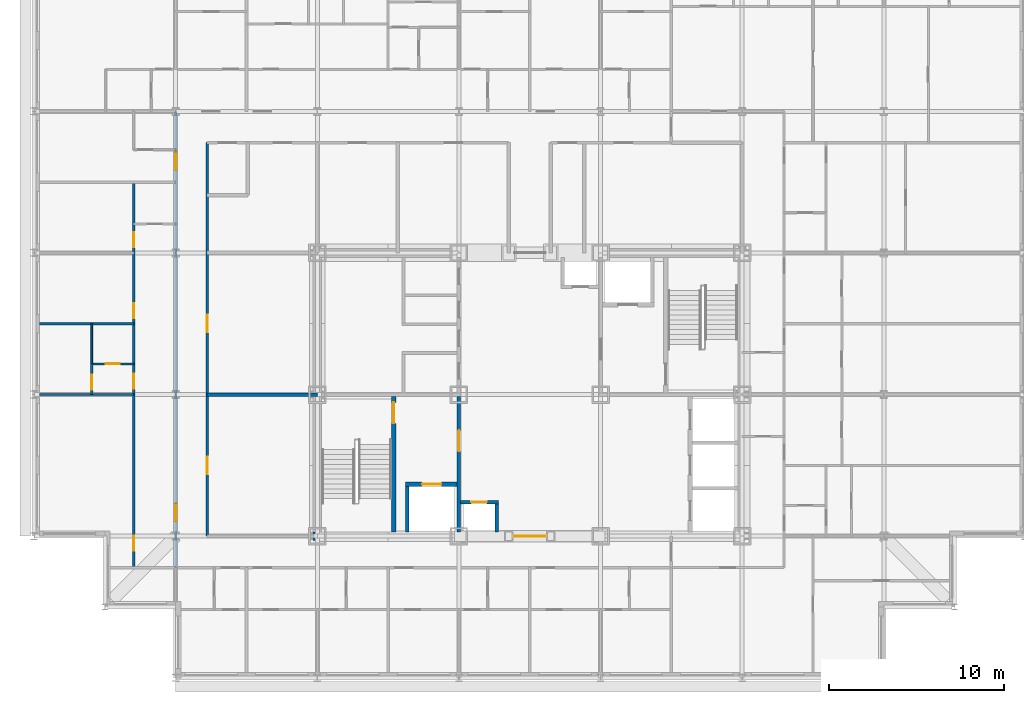
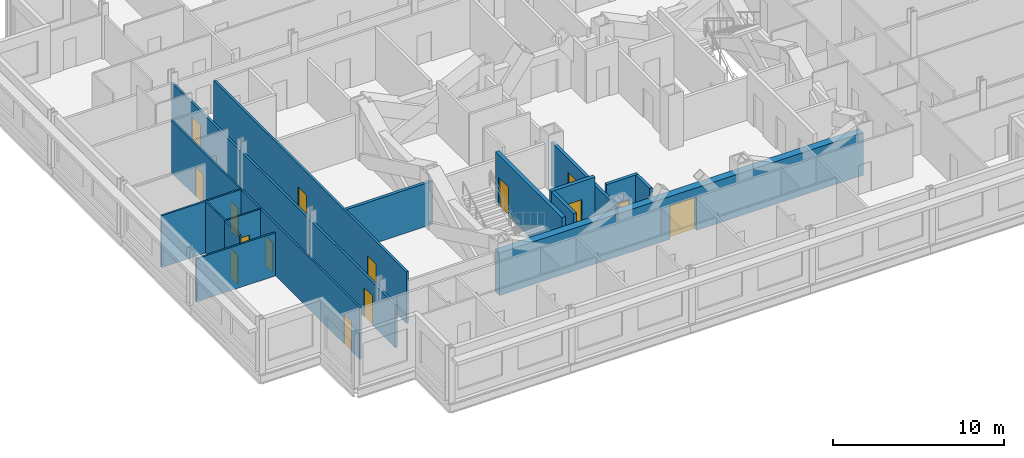
# One storey, part 8 of 16: 16 walls, 15 doors, 15 openings.
"""IFC4 building model written with IfcOpenShell, lengths in metres."""

from ifc_helpers import new_model, si_unit, direction, frame, frame_2d, origin, place, context, subcontext, project, spatial, rectangle, extrude, material, layer, layer_set, type_object, element, fill, save


model = new_model("IFC4")

# Units and contexts
model_context = context("Model", 3, precision=1e-05, world=origin(), true_north=direction((0.0, 1.0)))
body_context = subcontext(model_context, "Body", "Model", "MODEL_VIEW")
ifc_project = project(units=[si_unit("LENGTHUNIT", "METRE"), si_unit("AREAUNIT", "SQUARE_METRE"), si_unit("VOLUMEUNIT", "CUBIC_METRE"), si_unit("PLANEANGLEUNIT", "RADIAN"), si_unit("MASSUNIT", "GRAM", prefix="KILO")], contexts=[model_context])

# Site, building, storey
site_placement = place(None, origin())
site = spatial("IfcSite", under=ifc_project, at=site_placement, CompositionType="ELEMENT")
building_placement = place(site_placement, origin())
building = spatial("IfcBuilding", under=site, at=building_placement, Name="Kopane Lantern Tower", CompositionType="ELEMENT")
storey_placement = place(building_placement, frame((0.0, 0.0, 265.800048828125)))
storey = spatial("IfcBuildingStorey", under=building, at=storey_placement, Name="L68", CompositionType="ELEMENT", Elevation=265.800048828125)

# Wall, openings, doors
ifc_material_1 = material(Name="Gypsum board on steel studs", Category="steel")
ifc_layer_1 = layer(ifc_material_1, 0.1201171875)
ifc_layer_set_1 = layer_set([ifc_layer_1], Name="APARTMENT INTERNAL WALL 120")
wall_type_1 = type_object("IfcWallType", Name="APARTMENT INTERNAL WALL 120", PredefinedType="PARTITIONING", material=ifc_layer_set_1)
wall_1_placement = place(storey_placement, frame((5.699951171875, 22.5, 0.0), z_axis=(0.0, 0.0, 1.0), x_axis=(0.0, 1.0, 0.0)))
wall_1 = element("IfcWall", 1, at=wall_1_placement, inside=storey, type_object=wall_type_1, Name="Apartment Internal Wall 120 L68", PredefinedType="PARTITIONING", context=body_context, shape_type="SweptSolid", body=[
    extrude(rectangle(XDim=22.050048828125, YDim=0.1201171875, at=frame_2d((11.02490234375, 0.0))), origin(), (0.0, 0.0, 1.0), 3.68994140625),
])
opening_1_placement = place(wall_1_placement, frame((0.97509765625, 0.0, 0.0)))
opening_1 = element("IfcOpeningElement", 2, at=opening_1_placement, cuts=wall_1, Name="Opening L68-033", PredefinedType="OPENING", context=body_context, shape_type="SweptSolid", body=[
    extrude(rectangle(XDim=0.85009765625, YDim=2.10009765625, at=frame_2d((0.425048828125, 1.050048828125))), frame((0.0, 0.070068359375, 0.0), z_axis=(0.0, -1.0, 0.0), x_axis=(1.0, 0.0, 0.0)), (0.0, 0.0, 1.0), 0.14013671875),
])
opening_2_placement = place(wall_1_placement, frame((10.22509765625, 0.0, 0.0)))
opening_2 = element("IfcOpeningElement", 3, at=opening_2_placement, cuts=wall_1, Name="Opening L68-035", PredefinedType="OPENING", context=body_context, shape_type="SweptSolid", body=[
    extrude(rectangle(XDim=0.85009765625, YDim=2.10009765625, at=frame_2d((0.425048828125, 1.050048828125))), frame((0.0, 0.070068359375, 0.0), z_axis=(0.0, -1.0, 0.0), x_axis=(1.0, 0.0, 0.0)), (0.0, 0.0, 1.0), 0.14013671875),
])
opening_3_placement = place(wall_1_placement, frame((14.27490234375, 0.0, 0.0)))
opening_3 = element("IfcOpeningElement", 4, at=opening_3_placement, cuts=wall_1, Name="Opening L68-036", PredefinedType="OPENING", context=body_context, shape_type="SweptSolid", body=[
    extrude(rectangle(XDim=0.85009765625, YDim=2.10009765625, at=frame_2d((0.425048828125, 1.050048828125))), frame((0.0, 0.070068359375, 0.0), z_axis=(0.0, -1.0, 0.0), x_axis=(1.0, 0.0, 0.0)), (0.0, 0.0, 1.0), 0.14013671875),
])
opening_4_placement = place(wall_1_placement, frame((18.324951171875, 0.0, 0.0)))
opening_4 = element("IfcOpeningElement", 5, at=opening_4_placement, cuts=wall_1, Name="Opening L68-037", PredefinedType="OPENING", context=body_context, shape_type="SweptSolid", body=[
    extrude(rectangle(XDim=0.85009765625, YDim=2.10009765625, at=frame_2d((0.425048828125, 1.050048828125))), frame((0.0, 0.070068359375, 0.0), z_axis=(0.0, -1.0, 0.0), x_axis=(1.0, 0.0, 0.0)), (0.0, 0.0, 1.0), 0.14013671875),
])
ifc_material_2 = material(Name="Timber door set", Category="wood")
door_type_1 = type_object("IfcDoorType", Name="DOOR D4 850x2100", OperationType="SINGLE_SWING_LEFT", PredefinedType="DOOR", material=ifc_material_2)
door_1_placement = place(opening_1_placement, origin())
door_1 = element("IfcDoor", 6, at=door_1_placement, inside=storey, type_object=door_type_1, Name="Door L68-033", OperationType="SINGLE_SWING_RIGHT", OverallHeight=2.10009765625, OverallWidth=0.85009765625, PredefinedType="DOOR", context=body_context, shape_type="SweptSolid", body=[
    extrude(rectangle(XDim=0.85009765625, YDim=2.10009765625, at=frame_2d((0.425048828125, 1.050048828125))), frame((0.0, 0.02490234375, 0.0), z_axis=(0.0, -1.0, 0.0), x_axis=(1.0, 0.0, 0.0)), (0.0, 0.0, 1.0), 0.050048828125),
])
fill(opening_1, door_1)
door_2_placement = place(opening_2_placement, origin())
door_2 = element("IfcDoor", 7, at=door_2_placement, inside=storey, type_object=door_type_1, Name="Door L68-035", OperationType="SINGLE_SWING_LEFT", OverallHeight=2.10009765625, OverallWidth=0.85009765625, PredefinedType="DOOR", context=body_context, shape_type="SweptSolid", body=[
    extrude(rectangle(XDim=0.85009765625, YDim=2.10009765625, at=frame_2d((0.425048828125, 1.050048828125))), frame((0.0, 0.02490234375, 0.0), z_axis=(0.0, -1.0, 0.0), x_axis=(1.0, 0.0, 0.0)), (0.0, 0.0, 1.0), 0.050048828125),
])
fill(opening_2, door_2)
door_3_placement = place(opening_3_placement, origin())
door_3 = element("IfcDoor", 8, at=door_3_placement, inside=storey, type_object=door_type_1, Name="Door L68-036", OperationType="SINGLE_SWING_LEFT", OverallHeight=2.10009765625, OverallWidth=0.85009765625, PredefinedType="DOOR", context=body_context, shape_type="SweptSolid", body=[
    extrude(rectangle(XDim=0.85009765625, YDim=2.10009765625, at=frame_2d((0.425048828125, 1.050048828125))), frame((0.0, 0.02490234375, 0.0), z_axis=(0.0, -1.0, 0.0), x_axis=(1.0, 0.0, 0.0)), (0.0, 0.0, 1.0), 0.050048828125),
])
fill(opening_3, door_3)
door_4_placement = place(opening_4_placement, origin())
door_4 = element("IfcDoor", 9, at=door_4_placement, inside=storey, type_object=door_type_1, Name="Door L68-037", OperationType="SINGLE_SWING_LEFT", OverallHeight=2.10009765625, OverallWidth=0.85009765625, PredefinedType="DOOR", context=body_context, shape_type="SweptSolid", body=[
    extrude(rectangle(XDim=0.85009765625, YDim=2.10009765625, at=frame_2d((0.425048828125, 1.050048828125))), frame((0.0, 0.02490234375, 0.0), z_axis=(0.0, -1.0, 0.0), x_axis=(1.0, 0.0, 0.0)), (0.0, 0.0, 1.0), 0.050048828125),
])
fill(opening_4, door_4)

# Walls
wall_2_placement = place(storey_placement, frame((5.699951171875, 32.39990234375, 0.0), z_axis=(0.0, 0.0, 1.0), x_axis=(-1.0, 0.0, 0.0)))
element("IfcWall", 10, at=wall_2_placement, inside=storey, type_object=wall_type_1, Name="Apartment Internal Wall 120 L68", PredefinedType="PARTITIONING", context=body_context, shape_type="SweptSolid", body=[
    extrude(rectangle(XDim=5.39990234375, YDim=0.1201171875, at=frame_2d((2.699951171875, 0.0))), origin(), (0.0, 0.0, 1.0), 3.07763671875),
])
wall_3_placement = place(storey_placement, frame((5.699951171875, 36.449951171875, 0.0), z_axis=(0.0, 0.0, 1.0), x_axis=(-1.0, 0.0, 0.0)))
element("IfcWall", 11, at=wall_3_placement, inside=storey, type_object=wall_type_1, Name="Apartment Internal Wall 120 L68", PredefinedType="PARTITIONING", context=body_context, shape_type="SweptSolid", body=[
    extrude(rectangle(XDim=5.39990234375, YDim=0.1201171875, at=frame_2d((2.699951171875, 0.0))), origin(), (0.0, 0.0, 1.0), 3.68994140625),
])

# Wall, opening, door
wall_4_placement = place(storey_placement, frame((3.300048828125, 32.39990234375, 0.0), z_axis=(0.0, 0.0, 1.0), x_axis=(0.0, 1.0, 0.0)))
wall_4 = element("IfcWall", 12, at=wall_4_placement, inside=storey, type_object=wall_type_1, Name="Apartment Internal Wall 120 L68", PredefinedType="PARTITIONING", context=body_context, shape_type="SweptSolid", body=[
    extrude(rectangle(XDim=1.760009765625, YDim=0.1201171875, at=frame_2d((0.8798828125, 0.0))), origin(), (0.0, 0.0, 1.0), 3.68994140625),
])
opening_5_placement = place(wall_4_placement, frame((0.27490234375, 0.0, 0.0)))
opening_5 = element("IfcOpeningElement", 13, at=opening_5_placement, cuts=wall_4, Name="Opening L68-066", PredefinedType="OPENING", context=body_context, shape_type="SweptSolid", body=[
    extrude(rectangle(XDim=0.85009765625, YDim=2.10009765625, at=frame_2d((0.425048828125, 1.050048828125))), frame((0.0, 0.070068359375, 0.0), z_axis=(0.0, -1.0, 0.0), x_axis=(1.0, 0.0, 0.0)), (0.0, 0.0, 1.0), 0.14013671875),
])
door_5_placement = place(opening_5_placement, origin())
door_5 = element("IfcDoor", 14, at=door_5_placement, inside=storey, type_object=door_type_1, Name="Door L68-066", OperationType="SINGLE_SWING_LEFT", OverallHeight=2.10009765625, OverallWidth=0.85009765625, PredefinedType="DOOR", context=body_context, shape_type="SweptSolid", body=[
    extrude(rectangle(XDim=0.85009765625, YDim=2.10009765625, at=frame_2d((0.425048828125, 1.050048828125))), frame((0.0, 0.02490234375, 0.0), z_axis=(0.0, -1.0, 0.0), x_axis=(1.0, 0.0, 0.0)), (0.0, 0.0, 1.0), 0.050048828125),
])
fill(opening_5, door_5)

ifc_material_3 = material(Name="Moisture-resistant board on steel studs", Category="steel")
ifc_layer_2 = layer(ifc_material_3, 0.10009765625)
ifc_layer_set_2 = layer_set([ifc_layer_2], Name="BATHROOM WALL 100")
wall_type_2 = type_object("IfcWallType", Name="BATHROOM WALL 100", PredefinedType="PARTITIONING", material=ifc_layer_set_2)
wall_5_placement = place(storey_placement, frame((5.699951171875, 34.14990234375, 0.0), z_axis=(0.0, 0.0, 1.0), x_axis=(-1.0, 0.0, 0.0)))
wall_5 = element("IfcWall", 15, at=wall_5_placement, inside=storey, type_object=wall_type_2, Name="Bathroom Wall 100 L68", PredefinedType="PARTITIONING", context=body_context, shape_type="SweptSolid", body=[
    extrude(rectangle(XDim=2.39990234375, YDim=0.10009765625, at=frame_2d((1.199951171875, 0.0))), origin(), (0.0, 0.0, 1.0), 3.68994140625),
])
opening_6_placement = place(wall_5_placement, frame((0.800048828125, 0.0, 0.0)))
opening_6 = element("IfcOpeningElement", 16, at=opening_6_placement, cuts=wall_5, Name="Opening L68-034", PredefinedType="OPENING", context=body_context, shape_type="SweptSolid", body=[
    extrude(rectangle(XDim=0.800048828125, YDim=2.10009765625, at=frame_2d((0.39990234375, 1.050048828125))), frame((0.0, 0.06005859375, 0.0), z_axis=(0.0, -1.0, 0.0), x_axis=(1.0, 0.0, 0.0)), (0.0, 0.0, 1.0), 0.1201171875),
])
ifc_material_4 = material(Name="Timber door set", Category="wood")
door_type_2 = type_object("IfcDoorType", Name="DOOR D2 800x2100", OperationType="SINGLE_SWING_LEFT", PredefinedType="DOOR", material=ifc_material_4)
door_6_placement = place(opening_6_placement, origin())
door_6 = element("IfcDoor", 17, at=door_6_placement, inside=storey, type_object=door_type_2, Name="Door L68-034", OperationType="SINGLE_SWING_RIGHT", OverallHeight=2.10009765625, OverallWidth=0.800048828125, PredefinedType="DOOR", context=body_context, shape_type="SweptSolid", body=[
    extrude(rectangle(XDim=0.800048828125, YDim=2.10009765625, at=frame_2d((0.39990234375, 1.050048828125))), frame((0.0, 0.02490234375, 0.0), z_axis=(0.0, -1.0, 0.0), x_axis=(1.0, 0.0, 0.0)), (0.0, 0.0, 1.0), 0.050048828125),
])
fill(opening_6, door_6)

# Wall
wall_6_placement = place(storey_placement, frame((3.300048828125, 34.14990234375, 0.0), z_axis=(0.0, 0.0, 1.0), x_axis=(0.0, 1.0, 0.0)))
element("IfcWall", 18, at=wall_6_placement, inside=storey, type_object=wall_type_2, Name="Bathroom Wall 100 L68", PredefinedType="PARTITIONING", context=body_context, shape_type="SweptSolid", body=[
    extrude(rectangle(XDim=2.300048828125, YDim=0.10009765625, at=frame_2d((1.14990234375, 0.0))), origin(), (0.0, 0.0, 1.0), 3.68994140625),
])

# Wall, opening, door
ifc_material_5 = material(Name="Gypsum shaft wall EI 120", Category="gypsum")
ifc_layer_3 = layer(ifc_material_5, 0.5)
ifc_layer_set_3 = layer_set([ifc_layer_3], Name="CORE PERIMETER WALL 500 EI 120")
wall_type_3 = type_object("IfcWallType", Name="CORE PERIMETER WALL 500 EI 120", PredefinedType="SOLIDWALL", material=ifc_layer_set_3)
wall_7_placement = place(storey_placement, frame((15.949951171875, 24.300048828125, 0.0), z_axis=(0.0, 0.0, 1.0), x_axis=(1.0, 0.0, 0.0)))
wall_7 = element("IfcWall", 19, at=wall_7_placement, inside=storey, type_object=wall_type_3, Name="Core shaft wall L68 PS", PredefinedType="SOLIDWALL", context=body_context, shape_type="SweptSolid", body=[
    extrude(rectangle(XDim=24.550048828125, YDim=0.5, at=frame_2d((12.27490234375, 0.0))), origin(), (0.0, 0.0, 1.0), 3.0400390625),
])
opening_7_placement = place(wall_7_placement, frame((11.5, 0.0, 0.0)))
opening_7 = element("IfcOpeningElement", 20, at=opening_7_placement, cuts=wall_7, Name="Opening 68.CE-S", PredefinedType="OPENING", context=body_context, shape_type="SweptSolid", body=[
    extrude(rectangle(XDim=1.800048828125, YDim=2.39990234375, at=frame_2d((0.89990234375, 1.199951171875))), frame((0.0, 0.260009765625, 0.0), z_axis=(0.0, -1.0, 0.0), x_axis=(1.0, 0.0, 0.0)), (0.0, 0.0, 1.0), 0.52001953125),
])
ifc_material_6 = material(Name="Steel door set", Category="steel")
door_type_3 = type_object("IfcDoorType", Name="CORE ENTRY DOOR 1800x2400 FD60S", OperationType="DOUBLE_DOOR_SINGLE_SWING", PredefinedType="DOOR", material=ifc_material_6)
door_7_placement = place(opening_7_placement, origin())
door_7 = element("IfcDoor", 21, at=door_7_placement, inside=storey, type_object=door_type_3, Name="Core entry door L68 south", OperationType="DOUBLE_DOOR_SINGLE_SWING", OverallHeight=2.39990234375, OverallWidth=1.800048828125, PredefinedType="DOOR", context=body_context, shape_type="SweptSolid", body=[
    extrude(rectangle(XDim=1.800048828125, YDim=2.39990234375, at=frame_2d((0.89990234375, 1.199951171875))), frame((0.0, 0.02490234375, 0.0), z_axis=(0.0, -1.0, 0.0), x_axis=(1.0, 0.0, 0.0)), (0.0, 0.0, 1.0), 0.050048828125),
])
fill(opening_7, door_7)

ifc_material_7 = material(Name="Gypsum shaft wall EI 120", Category="gypsum")
ifc_layer_4 = layer(ifc_material_7, 0.25)
ifc_layer_set_4 = layer_set([ifc_layer_4], Name="CORE SHAFT WALL 250 EI 120")
wall_type_4 = type_object("IfcWallType", Name="CORE SHAFT WALL 250 EI 120", PredefinedType="SOLIDWALL", material=ifc_layer_set_4)
wall_8_placement = place(storey_placement, frame((20.574951171875, 24.550048828125, 0.0), z_axis=(0.0, 0.0, 1.0), x_axis=(0.0, 1.0, 0.0)))
wall_8 = element("IfcWall", 22, at=wall_8_placement, inside=storey, type_object=wall_type_4, Name="Core shaft wall L68 XST1", PredefinedType="SOLIDWALL", context=body_context, shape_type="SweptSolid", body=[
    extrude(rectangle(XDim=7.75, YDim=0.25, at=frame_2d((3.875, 0.0))), origin(), (0.0, 0.0, 1.0), 3.68994140625),
])
opening_8_placement = place(wall_8_placement, frame((6.199951171875, 0.0, 0.0)))
opening_8 = element("IfcOpeningElement", 23, at=opening_8_placement, cuts=wall_8, Name="Opening 68.SD1", PredefinedType="OPENING", context=body_context, shape_type="SweptSolid", body=[
    extrude(rectangle(XDim=1.199951171875, YDim=2.10009765625, at=frame_2d((0.60009765625, 1.050048828125))), frame((0.0, 0.135009765625, 0.0), z_axis=(0.0, -1.0, 0.0), x_axis=(1.0, 0.0, 0.0)), (0.0, 0.0, 1.0), 0.27001953125),
])
ifc_material_8 = material(Name="Steel door set", Category="steel")
door_type_4 = type_object("IfcDoorType", Name="STAIR DOOR 1200x2100 FD60S", OperationType="SINGLE_SWING_LEFT", PredefinedType="DOOR", material=ifc_material_8)
door_8_placement = place(opening_8_placement, origin())
door_8 = element("IfcDoor", 24, at=door_8_placement, inside=storey, type_object=door_type_4, Name="Stair door ST1 L68", OperationType="SINGLE_SWING_LEFT", OverallHeight=2.10009765625, OverallWidth=1.199951171875, PredefinedType="DOOR", context=body_context, shape_type="SweptSolid", body=[
    extrude(rectangle(XDim=1.199951171875, YDim=2.10009765625, at=frame_2d((0.60009765625, 1.050048828125))), frame((0.0, 0.02490234375, 0.0), z_axis=(0.0, -1.0, 0.0), x_axis=(1.0, 0.0, 0.0)), (0.0, 0.0, 1.0), 0.050048828125),
])
fill(opening_8, door_8)

wall_9_placement = place(storey_placement, frame((21.25, 27.27490234375, 0.0), z_axis=(0.0, 0.0, 1.0), x_axis=(1.0, 0.0, 0.0)))
wall_9 = element("IfcWall", 25, at=wall_9_placement, inside=storey, type_object=wall_type_4, Name="Core shaft wall L68 YLF1", PredefinedType="SOLIDWALL", context=body_context, shape_type="SweptSolid", body=[
    extrude(rectangle(XDim=2.949951171875, YDim=0.25, at=frame_2d((1.47509765625, 0.0))), origin(), (0.0, 0.0, 1.0), 3.68994140625),
])
opening_9_placement = place(wall_9_placement, frame((0.949951171875, 0.0, 0.0)))
opening_9 = element("IfcOpeningElement", 26, at=opening_9_placement, cuts=wall_9, Name="Opening 68.LD-LF1", PredefinedType="OPENING", context=body_context, shape_type="SweptSolid", body=[
    extrude(rectangle(XDim=1.10009765625, YDim=2.39990234375, at=frame_2d((0.550048828125, 1.199951171875))), frame((0.0, 0.135009765625, 0.0), z_axis=(0.0, -1.0, 0.0), x_axis=(1.0, 0.0, 0.0)), (0.0, 0.0, 1.0), 0.27001953125),
])
ifc_material_9 = material(Name="Steel door set", Category="steel")
door_type_5 = type_object("IfcDoorType", Name="LIFT LANDING DOOR 1100x2400 FD60", OperationType="DOUBLE_DOOR_SLIDING", PredefinedType="DOOR", material=ifc_material_9)
door_9_placement = place(opening_9_placement, origin())
door_9 = element("IfcDoor", 27, at=door_9_placement, inside=storey, type_object=door_type_5, Name="Landing door LF1 L68", OperationType="DOUBLE_DOOR_SLIDING", OverallHeight=2.39990234375, OverallWidth=1.10009765625, PredefinedType="DOOR", context=body_context, shape_type="SweptSolid", body=[
    extrude(rectangle(XDim=1.10009765625, YDim=2.39990234375, at=frame_2d((0.550048828125, 1.199951171875))), frame((0.0, 0.02490234375, 0.0), z_axis=(0.0, -1.0, 0.0), x_axis=(1.0, 0.0, 0.0)), (0.0, 0.0, 1.0), 0.050048828125),
])
fill(opening_9, door_9)

# Wall, openings, doors
ifc_material_10 = material(Name="Gypsum board on steel studs", Category="steel")
ifc_layer_5 = layer(ifc_material_10, 0.14990234375)
ifc_layer_set_5 = layer_set([ifc_layer_5], Name="CORRIDOR WALL 150 EI 60")
wall_type_5 = type_object("IfcWallType", Name="CORRIDOR WALL 150 EI 60", PredefinedType="PARTITIONING", material=ifc_layer_set_5)
wall_10_placement = place(storey_placement, frame((8.10009765625, 22.5, 0.0), z_axis=(0.0, 0.0, 1.0), x_axis=(0.0, 1.0, 0.0)))
wall_10 = element("IfcWall", 28, at=wall_10_placement, inside=storey, type_object=wall_type_5, Name="Corridor Wall 150 Ei 60 L68", PredefinedType="PARTITIONING", context=body_context, shape_type="SweptSolid", body=[
    extrude(rectangle(XDim=26.10009765625, YDim=0.14990234375, at=frame_2d((13.050048828125, 0.0))), origin(), (0.0, 0.0, 1.0), 3.07763671875),
])
opening_10_placement = place(wall_10_placement, frame((2.64990234375, 0.0, 0.0)))
opening_10 = element("IfcOpeningElement", 29, at=opening_10_placement, cuts=wall_10, Name="Opening L68-032", PredefinedType="OPENING", context=body_context, shape_type="SweptSolid", body=[
    extrude(rectangle(XDim=1.0, YDim=2.10009765625, at=frame_2d((0.5, 1.050048828125))), frame((0.0, 0.0849609375, 0.0), z_axis=(0.0, -1.0, 0.0), x_axis=(1.0, 0.0, 0.0)), (0.0, 0.0, 1.0), 0.169921875),
])
opening_11_placement = place(wall_10_placement, frame((22.75, 0.0, 0.0)))
opening_11 = element("IfcOpeningElement", 30, at=opening_11_placement, cuts=wall_10, Name="Opening L68-039", PredefinedType="OPENING", context=body_context, shape_type="SweptSolid", body=[
    extrude(rectangle(XDim=1.0, YDim=2.10009765625, at=frame_2d((0.5, 1.050048828125))), frame((0.0, 0.0849609375, 0.0), z_axis=(0.0, -1.0, 0.0), x_axis=(1.0, 0.0, 0.0)), (0.0, 0.0, 1.0), 0.169921875),
])
ifc_material_11 = material(Name="Steel door set", Category="steel")
door_type_6 = type_object("IfcDoorType", Name="DOOR D3 1000x2100 FD30S", OperationType="SINGLE_SWING_LEFT", PredefinedType="DOOR", material=ifc_material_11)
door_10_placement = place(opening_10_placement, origin())
door_10 = element("IfcDoor", 31, at=door_10_placement, inside=storey, type_object=door_type_6, Name="Door L68-032", OperationType="SINGLE_SWING_LEFT", OverallHeight=2.10009765625, OverallWidth=1.0, PredefinedType="DOOR", context=body_context, shape_type="SweptSolid", body=[
    extrude(rectangle(XDim=1.0, YDim=2.10009765625, at=frame_2d((0.5, 1.050048828125))), frame((0.0, 0.02490234375, 0.0), z_axis=(0.0, -1.0, 0.0), x_axis=(1.0, 0.0, 0.0)), (0.0, 0.0, 1.0), 0.050048828125),
])
fill(opening_10, door_10)
door_11_placement = place(opening_11_placement, origin())
door_11 = element("IfcDoor", 32, at=door_11_placement, inside=storey, type_object=door_type_6, Name="Door L68-039", OperationType="SINGLE_SWING_RIGHT", OverallHeight=2.10009765625, OverallWidth=1.0, PredefinedType="DOOR", context=body_context, shape_type="SweptSolid", body=[
    extrude(rectangle(XDim=1.0, YDim=2.10009765625, at=frame_2d((0.5, 1.050048828125))), frame((0.0, 0.02490234375, 0.0), z_axis=(0.0, -1.0, 0.0), x_axis=(1.0, 0.0, 0.0)), (0.0, 0.0, 1.0), 0.050048828125),
])
fill(opening_11, door_11)

wall_11_placement = place(storey_placement, frame((9.89990234375, 24.300048828125, 0.0), z_axis=(0.0, 0.0, 1.0), x_axis=(0.0, 1.0, 0.0)))
wall_11 = element("IfcWall", 33, at=wall_11_placement, inside=storey, type_object=wall_type_5, Name="Corridor Wall 150 Ei 60 L68", PredefinedType="PARTITIONING", context=body_context, shape_type="SweptSolid", body=[
    extrude(rectangle(XDim=22.5, YDim=0.14990234375, at=frame_2d((11.25, 0.0))), origin(), (0.0, 0.0, 1.0), 3.68994140625),
])
opening_12_placement = place(wall_11_placement, frame((3.550048828125, 0.0, 0.0)))
opening_12 = element("IfcOpeningElement", 34, at=opening_12_placement, cuts=wall_11, Name="Opening L68-001", PredefinedType="OPENING", context=body_context, shape_type="SweptSolid", body=[
    extrude(rectangle(XDim=1.0, YDim=2.10009765625, at=frame_2d((0.5, 1.050048828125))), frame((0.0, 0.0849609375, 0.0), z_axis=(0.0, -1.0, 0.0), x_axis=(1.0, 0.0, 0.0)), (0.0, 0.0, 1.0), 0.169921875),
])
opening_13_placement = place(wall_11_placement, frame((11.64990234375, 0.0, 0.0)))
opening_13 = element("IfcOpeningElement", 35, at=opening_13_placement, cuts=wall_11, Name="Opening L68-002", PredefinedType="OPENING", context=body_context, shape_type="SweptSolid", body=[
    extrude(rectangle(XDim=1.0, YDim=2.10009765625, at=frame_2d((0.5, 1.050048828125))), frame((0.0, 0.0849609375, 0.0), z_axis=(0.0, -1.0, 0.0), x_axis=(1.0, 0.0, 0.0)), (0.0, 0.0, 1.0), 0.169921875),
])
ifc_material_12 = material(Name="Steel door set", Category="steel")
door_type_7 = type_object("IfcDoorType", Name="DOOR D5 1000x2100 FD60", OperationType="SINGLE_SWING_LEFT", PredefinedType="DOOR", material=ifc_material_12)
door_12_placement = place(opening_12_placement, origin())
door_12 = element("IfcDoor", 36, at=door_12_placement, inside=storey, type_object=door_type_7, Name="Door L68-001", OperationType="SINGLE_SWING_RIGHT", OverallHeight=2.10009765625, OverallWidth=1.0, PredefinedType="DOOR", context=body_context, shape_type="SweptSolid", body=[
    extrude(rectangle(XDim=1.0, YDim=2.10009765625, at=frame_2d((0.5, 1.050048828125))), frame((0.0, 0.02490234375, 0.0), z_axis=(0.0, -1.0, 0.0), x_axis=(1.0, 0.0, 0.0)), (0.0, 0.0, 1.0), 0.050048828125),
])
fill(opening_12, door_12)
door_13_placement = place(opening_13_placement, origin())
door_13 = element("IfcDoor", 37, at=door_13_placement, inside=storey, type_object=door_type_7, Name="Door L68-002", OperationType="SINGLE_SWING_LEFT", OverallHeight=2.10009765625, OverallWidth=1.0, PredefinedType="DOOR", context=body_context, shape_type="SweptSolid", body=[
    extrude(rectangle(XDim=1.0, YDim=2.10009765625, at=frame_2d((0.5, 1.050048828125))), frame((0.0, 0.02490234375, 0.0), z_axis=(0.0, -1.0, 0.0), x_axis=(1.0, 0.0, 0.0)), (0.0, 0.0, 1.0), 0.050048828125),
])
fill(opening_13, door_13)

# Wall
ifc_material_13 = material(Name="Concrete masonry", Category="masonry")
ifc_layer_6 = layer(ifc_material_13, 0.199951171875)
ifc_layer_set_6 = layer_set([ifc_layer_6], Name="PLANT ROOM WALL 200 EI 120")
wall_type_6 = type_object("IfcWallType", Name="PLANT ROOM WALL 200 EI 120", PredefinedType="SOLIDWALL", material=ifc_layer_set_6)
wall_12_placement = place(storey_placement, frame((9.89990234375, 32.39990234375, 0.0), z_axis=(0.0, 0.0, 1.0), x_axis=(1.0, 0.0, 0.0)))
element("IfcWall", 38, at=wall_12_placement, inside=storey, type_object=wall_type_6, Name="Plant Room Wall 200 Ei 120 L68", PredefinedType="SOLIDWALL", context=body_context, shape_type="SweptSolid", body=[
    extrude(rectangle(XDim=6.300048828125, YDim=0.199951171875, at=frame_2d((3.14990234375, 0.0))), origin(), (0.0, 0.0, 1.0), 3.07763671875),
])

# Wall, opening, door
ifc_material_14 = material(Name="Gypsum shaft wall EI 120", Category="gypsum")
ifc_layer_7 = layer(ifc_material_14, 0.199951171875)
ifc_layer_set_7 = layer_set([ifc_layer_7], Name="SHAFT WALL 200 EI 120")
wall_type_7 = type_object("IfcWallType", Name="SHAFT WALL 200 EI 120", PredefinedType="SOLIDWALL", material=ifc_layer_set_7)
wall_13_placement = place(storey_placement, frame((24.300048828125, 24.550048828125, 0.0), z_axis=(0.0, 0.0, 1.0), x_axis=(0.0, 1.0, 0.0)))
wall_13 = element("IfcWall", 39, at=wall_13_placement, inside=storey, type_object=wall_type_7, Name="Core shaft wall L68 X243", PredefinedType="SOLIDWALL", context=body_context, shape_type="SweptSolid", body=[
    extrude(rectangle(XDim=7.75, YDim=0.199951171875, at=frame_2d((3.875, 0.0))), origin(), (0.0, 0.0, 1.0), 3.07763671875),
])
opening_14_placement = place(wall_13_placement, frame((4.60009765625, 0.0, 0.0)))
opening_14 = element("IfcOpeningElement", 40, at=opening_14_placement, cuts=wall_13, Name="Opening 68.FL1", PredefinedType="OPENING", context=body_context, shape_type="SweptSolid", body=[
    extrude(rectangle(XDim=1.199951171875, YDim=2.10009765625, at=frame_2d((0.60009765625, 1.050048828125))), frame((0.0, 0.10986328125, 0.0), z_axis=(0.0, -1.0, 0.0), x_axis=(1.0, 0.0, 0.0)), (0.0, 0.0, 1.0), 0.219970703125),
])
ifc_material_15 = material(Name="Steel door set", Category="steel")
door_type_8 = type_object("IfcDoorType", Name="FIREFIGHTING LOBBY DOOR 1200x2100 FD60S", OperationType="SINGLE_SWING_RIGHT", PredefinedType="DOOR", material=ifc_material_15)
door_14_placement = place(opening_14_placement, origin())
door_14 = element("IfcDoor", 41, at=door_14_placement, inside=storey, type_object=door_type_8, Name="Firefighting lobby door FL1 L68", OperationType="SINGLE_SWING_LEFT", OverallHeight=2.10009765625, OverallWidth=1.199951171875, PredefinedType="DOOR", context=body_context, shape_type="SweptSolid", body=[
    extrude(rectangle(XDim=1.199951171875, YDim=2.10009765625, at=frame_2d((0.60009765625, 1.050048828125))), frame((0.0, 0.02490234375, 0.0), z_axis=(0.0, -1.0, 0.0), x_axis=(1.0, 0.0, 0.0)), (0.0, 0.0, 1.0), 0.050048828125),
])
fill(opening_14, door_14)

# Walls
wall_14_placement = place(storey_placement, frame((21.35009765625, 24.550048828125, 0.0), z_axis=(0.0, 0.0, 1.0), x_axis=(0.0, 1.0, 0.0)))
element("IfcWall", 42, at=wall_14_placement, inside=storey, type_object=wall_type_7, Name="Core shaft wall L68 XLF1", PredefinedType="SOLIDWALL", context=body_context, shape_type="SweptSolid", body=[
    extrude(rectangle(XDim=2.599853515625, YDim=0.199951171875, at=frame_2d((1.2998046875, 0.0))), origin(), (0.0, 0.0, 1.0), 3.68994140625),
])
wall_15_placement = place(storey_placement, frame((26.449951171875, 24.550048828125, 0.0), z_axis=(0.0, 0.0, 1.0), x_axis=(0.0, 1.0, 0.0)))
element("IfcWall", 43, at=wall_15_placement, inside=storey, type_object=wall_type_7, Name="Core shaft wall L68 XRS1", PredefinedType="SOLIDWALL", context=body_context, shape_type="SweptSolid", body=[
    extrude(rectangle(XDim=1.599853515625, YDim=0.199951171875, at=frame_2d((0.7998046875, 0.0))), origin(), (0.0, 0.0, 1.0), 3.68994140625),
])

# Wall, opening, door
wall_16_placement = place(storey_placement, frame((24.39990234375, 26.25, 0.0), z_axis=(0.0, 0.0, 1.0), x_axis=(1.0, 0.0, 0.0)))
wall_16 = element("IfcWall", 44, at=wall_16_placement, inside=storey, type_object=wall_type_7, Name="Core shaft wall L68 YRS1", PredefinedType="SOLIDWALL", context=body_context, shape_type="SweptSolid", body=[
    extrude(rectangle(XDim=2.150146484375, YDim=0.199951171875, at=frame_2d((1.0751953125, 0.0))), origin(), (0.0, 0.0, 1.0), 3.68994140625),
])
opening_15_placement = place(wall_16_placement, frame((0.60009765625, 0.0, 0.0)))
opening_15 = element("IfcOpeningElement", 45, at=opening_15_placement, cuts=wall_16, Name="Opening 68.RS1", PredefinedType="OPENING", context=body_context, shape_type="SweptSolid", body=[
    extrude(rectangle(XDim=0.89990234375, YDim=2.10009765625, at=frame_2d((0.449951171875, 1.050048828125))), frame((0.0, 0.10986328125, 0.0), z_axis=(0.0, -1.0, 0.0), x_axis=(1.0, 0.0, 0.0)), (0.0, 0.0, 1.0), 0.219970703125),
])
ifc_material_16 = material(Name="Steel door set", Category="steel")
door_type_9 = type_object("IfcDoorType", Name="RISER ACCESS DOOR 900x2100 FD60", OperationType="SINGLE_SWING_LEFT", PredefinedType="DOOR", material=ifc_material_16)
door_15_placement = place(opening_15_placement, origin())
door_15 = element("IfcDoor", 46, at=door_15_placement, inside=storey, type_object=door_type_9, Name="Riser access door RS1 L68", OperationType="SINGLE_SWING_LEFT", OverallHeight=2.10009765625, OverallWidth=0.89990234375, PredefinedType="DOOR", context=body_context, shape_type="SweptSolid", body=[
    extrude(rectangle(XDim=0.89990234375, YDim=2.10009765625, at=frame_2d((0.449951171875, 1.050048828125))), frame((0.0, 0.02490234375, 0.0), z_axis=(0.0, -1.0, 0.0), x_axis=(1.0, 0.0, 0.0)), (0.0, 0.0, 1.0), 0.050048828125),
])
fill(opening_15, door_15)

save(model, "model.ifc")
